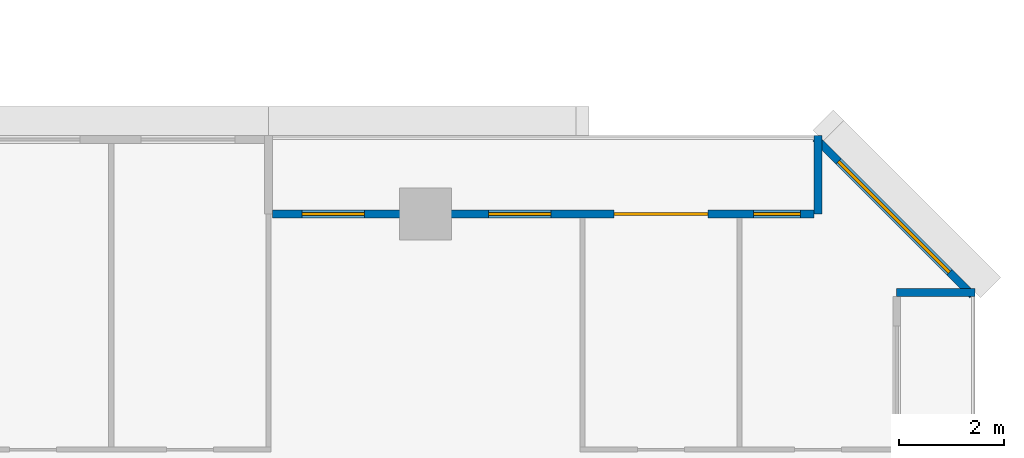
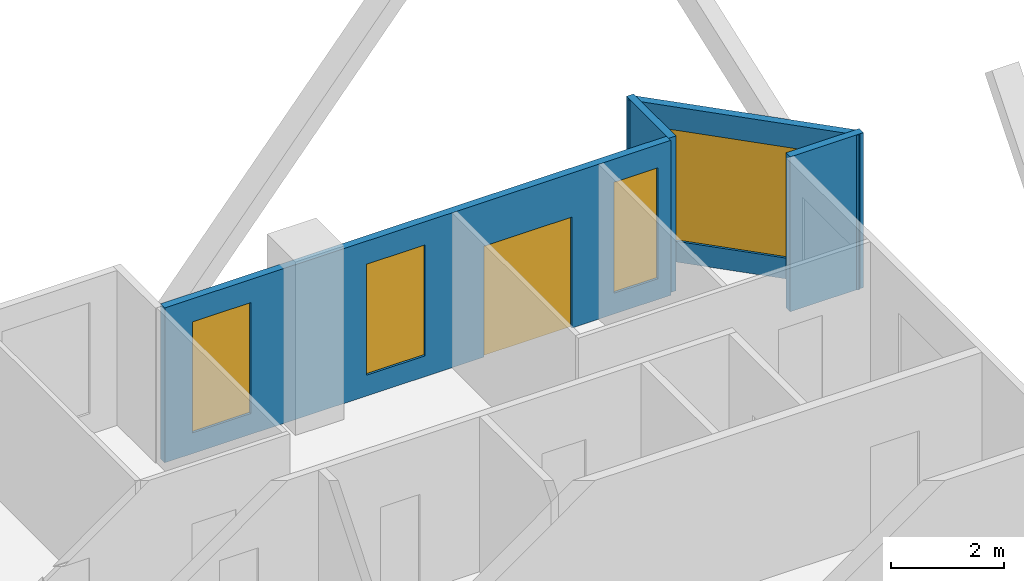
# One storey, part 13 of 16: 4 walls, 4 windows, 1 door, 5 openings.
"""IFC4 building model written with IfcOpenShell, lengths in metres."""

from ifc_helpers import new_model, si_unit, direction, frame, frame_2d, origin, place, context, subcontext, project, spatial, rectangle, extrude, material, layer, layer_set, type_object, element, fill, save


model = new_model("IFC4")

# Units and contexts
model_context = context("Model", 3, precision=1e-05, world=origin(), true_north=direction((0.0, 1.0)))
body_context = subcontext(model_context, "Body", "Model", "MODEL_VIEW")
ifc_project = project(units=[si_unit("LENGTHUNIT", "METRE"), si_unit("AREAUNIT", "SQUARE_METRE"), si_unit("VOLUMEUNIT", "CUBIC_METRE"), si_unit("PLANEANGLEUNIT", "RADIAN"), si_unit("MASSUNIT", "GRAM", prefix="KILO")], contexts=[model_context])

# Site, building, storey
site_placement = place(None, origin())
site = spatial("IfcSite", under=ifc_project, at=site_placement, CompositionType="ELEMENT")
building_placement = place(site_placement, origin())
building = spatial("IfcBuilding", under=site, at=building_placement, Name="Chenar Terraces", CompositionType="ELEMENT")
storey_placement = place(building_placement, frame((0.0, 0.0, 99.39990234375)))
storey = spatial("IfcBuildingStorey", under=building, at=storey_placement, Name="L22", CompositionType="ELEMENT", Elevation=99.39990234375)

# Wall, openings, windows, door
ifc_material_1 = material(Name="Aluminium framed glazing", Category="aluminium")
ifc_layer_1 = layer(ifc_material_1, 0.14990234375)
ifc_layer_set_1 = layer_set([ifc_layer_1], Name="Aluminium framed glazing")
wall_type_1 = type_object("IfcWallType", Name="Glazed loggia back wall 150", PredefinedType="SOLIDWALL", material=ifc_layer_set_1)
wall_1_placement = place(storey_placement, frame((70.425048828125, 24.0, 0.0), z_axis=(0.0, 0.0, 1.0), x_axis=(-1.0, 0.0, 0.0)))
wall_1 = element("IfcWall", 1, at=wall_1_placement, inside=storey, type_object=wall_type_1, Name="Glazed loggia back wall", PredefinedType="SOLIDWALL", context=body_context, shape_type="SweptSolid", body=[
    extrude(rectangle(XDim=10.35009765625, YDim=0.14990234375, at=frame_2d((5.175048828125, 0.0))), origin(), (0.0, 0.0, 1.0), 3.35009765625),
])
opening_1_placement = place(wall_1_placement, frame((0.262451171875, 0.0, 0.449951171875)))
opening_1 = element("IfcOpeningElement", 2, at=opening_1_placement, cuts=wall_1, Name="Opening W90x240", PredefinedType="OPENING", context=body_context, shape_type="SweptSolid", body=[
    extrude(rectangle(XDim=0.89990234375, YDim=2.39990234375, at=frame_2d((0.449951171875, 1.199951171875))), frame((0.0, 0.0849609375, 0.0), z_axis=(0.0, -1.0, 0.0), x_axis=(1.0, 0.0, 0.0)), (0.0, 0.0, 1.0), 0.169921875),
])
opening_2_placement = place(wall_1_placement, frame((2.02490234375, 0.0, 0.0)))
opening_2 = element("IfcOpeningElement", 3, at=opening_2_placement, cuts=wall_1, Name="Opening DL22-G1", PredefinedType="OPENING", context=body_context, shape_type="SweptSolid", body=[
    extrude(rectangle(XDim=1.800048828125, YDim=2.39990234375, at=frame_2d((0.89990234375, 1.199951171875))), frame((0.0, 0.0849609375, 0.0), z_axis=(0.0, -1.0, 0.0), x_axis=(1.0, 0.0, 0.0)), (0.0, 0.0, 1.0), 0.169921875),
])
opening_3_placement = place(wall_1_placement, frame((5.02490234375, 0.0, 0.449951171875)))
opening_3 = element("IfcOpeningElement", 4, at=opening_3_placement, cuts=wall_1, Name="Opening W120x240", PredefinedType="OPENING", context=body_context, shape_type="SweptSolid", body=[
    extrude(rectangle(XDim=1.199951171875, YDim=2.39990234375, at=frame_2d((0.60009765625, 1.199951171875))), frame((0.0, 0.0849609375, 0.0), z_axis=(0.0, -1.0, 0.0), x_axis=(1.0, 0.0, 0.0)), (0.0, 0.0, 1.0), 0.169921875),
])
opening_4_placement = place(wall_1_placement, frame((8.58740234375, 0.0, 0.449951171875)))
opening_4 = element("IfcOpeningElement", 5, at=opening_4_placement, cuts=wall_1, Name="Opening W120x240", PredefinedType="OPENING", context=body_context, shape_type="SweptSolid", body=[
    extrude(rectangle(XDim=1.199951171875, YDim=2.39990234375, at=frame_2d((0.60009765625, 1.199951171875))), frame((0.0, 0.0849609375, 0.0), z_axis=(0.0, -1.0, 0.0), x_axis=(1.0, 0.0, 0.0)), (0.0, 0.0, 1.0), 0.169921875),
])
ifc_material_2 = material(Name="Low emissivity double glazing, aluminium frame", Category="aluminium")
window_type_1 = type_object("IfcWindowType", Name="Fixed light 1200 x 2400", PartitioningType="SINGLE_PANEL", PredefinedType="WINDOW", material=ifc_material_2)
window_1_placement = place(opening_3_placement, origin())
window_1 = element("IfcWindow", 6, at=window_1_placement, inside=storey, type_object=window_type_1, Name="Window", OverallHeight=2.39990234375, OverallWidth=1.199951171875, PartitioningType="SINGLE_PANEL", PredefinedType="WINDOW", context=body_context, shape_type="SweptSolid", body=[
    extrude(rectangle(XDim=1.199951171875, YDim=2.39990234375, at=frame_2d((0.60009765625, 1.199951171875))), frame((0.0, 0.030029296875, 0.0), z_axis=(0.0, -1.0, 0.0), x_axis=(1.0, 0.0, 0.0)), (0.0, 0.0, 1.0), 0.06005859375),
])
fill(opening_3, window_1)
window_2_placement = place(opening_4_placement, origin())
window_2 = element("IfcWindow", 7, at=window_2_placement, inside=storey, type_object=window_type_1, Name="Window", OverallHeight=2.39990234375, OverallWidth=1.199951171875, PartitioningType="SINGLE_PANEL", PredefinedType="WINDOW", context=body_context, shape_type="SweptSolid", body=[
    extrude(rectangle(XDim=1.199951171875, YDim=2.39990234375, at=frame_2d((0.60009765625, 1.199951171875))), frame((0.0, 0.030029296875, 0.0), z_axis=(0.0, -1.0, 0.0), x_axis=(1.0, 0.0, 0.0)), (0.0, 0.0, 1.0), 0.06005859375),
])
fill(opening_4, window_2)
ifc_material_3 = material(Name="Low emissivity double glazing, aluminium frame", Category="aluminium")
window_type_2 = type_object("IfcWindowType", Name="Fixed light 900 x 2400", PartitioningType="SINGLE_PANEL", PredefinedType="WINDOW", material=ifc_material_3)
window_3_placement = place(opening_1_placement, origin())
window_3 = element("IfcWindow", 8, at=window_3_placement, inside=storey, type_object=window_type_2, Name="Window", OverallHeight=2.39990234375, OverallWidth=0.89990234375, PartitioningType="SINGLE_PANEL", PredefinedType="WINDOW", context=body_context, shape_type="SweptSolid", body=[
    extrude(rectangle(XDim=0.89990234375, YDim=2.39990234375, at=frame_2d((0.449951171875, 1.199951171875))), frame((0.0, 0.030029296875, 0.0), z_axis=(0.0, -1.0, 0.0), x_axis=(1.0, 0.0, 0.0)), (0.0, 0.0, 1.0), 0.06005859375),
])
fill(opening_1, window_3)
ifc_material_4 = material(Name="Low emissivity double glazing, aluminium frame", Category="aluminium")
door_type = type_object("IfcDoorType", Name="Loggia glazed double door 1800 x 2400", OperationType="DOUBLE_DOOR_SINGLE_SWING", PredefinedType="DOOR", material=ifc_material_4)
door_placement = place(opening_2_placement, frame((1.800048828125, 0.0, 0.0), z_axis=(0.0, 0.0, 1.0), x_axis=(-1.0, 0.0, 0.0)))
door = element("IfcDoor", 9, at=door_placement, inside=storey, type_object=door_type, Name="Loggia glazed door", OperationType="DOUBLE_DOOR_SINGLE_SWING", OverallHeight=2.39990234375, OverallWidth=1.800048828125, PredefinedType="DOOR", context=body_context, shape_type="SweptSolid", body=[
    extrude(rectangle(XDim=1.800048828125, YDim=2.39990234375, at=frame_2d((0.89990234375, 1.199951171875))), frame((0.0, 0.02490234375, 0.0), z_axis=(0.0, -1.0, 0.0), x_axis=(1.0, 0.0, 0.0)), (0.0, 0.0, 1.0), 0.050048828125),
])
fill(opening_2, door)

# Walls
ifc_material_5 = material(Name="Terracotta cladding on insulated backing", Category="masonry")
ifc_layer_2 = layer(ifc_material_5, 0.14990234375)
ifc_layer_set_2 = layer_set([ifc_layer_2], Name="Terracotta cladding on insulated backing")
wall_type_2 = type_object("IfcWallType", Name="Loggia return wall 150", PredefinedType="SOLIDWALL", material=ifc_layer_set_2)
for number, where, z_axis, x_axis, name in (
    (10, (70.5, 25.5, 0.0), (0.0, 0.0, 1.0), (0.0, -1.0, 0.0), "Loggia return wall"),
    (11, (73.5, 22.5, 0.0), (0.0, 0.0, 1.0), (-1.0, 0.0, 0.0), "Loggia return wall"),
):
    element("IfcWall", number, at=place(storey_placement, frame(where, z_axis=z_axis, x_axis=x_axis)), inside=storey, type_object=wall_type_2, Name=name, PredefinedType="SOLIDWALL", context=body_context, shape_type="SweptSolid", body=[
        extrude(rectangle(XDim=1.5, YDim=0.14990234375, at=frame_2d((0.75, 0.0))), origin(), (0.0, 0.0, 1.0), 3.35009765625),
    ])

# Wall, opening, window
ifc_material_6 = material(Name="Terracotta cladding on insulated backing", Category="masonry")
ifc_layer_3 = layer(ifc_material_6, 0.14990234375)
ifc_layer_set_3 = layer_set([ifc_layer_3], Name="Terracotta cladding on insulated backing")
wall_type_3 = type_object("IfcWallType", Name="Terracotta rainscreen wall 150", PredefinedType="SOLIDWALL", material=ifc_layer_set_3)
wall_2_placement = place(storey_placement, frame((73.447021484375, 22.447021484375, 0.0), z_axis=(0.0, 0.0, 1.0), x_axis=(-0.707106781187, 0.707106781187, 0.0)))
wall_2 = element("IfcWall", 12, at=wall_2_placement, inside=storey, type_object=wall_type_3, Name="Terracotta rainscreen wall", PredefinedType="SOLIDWALL", context=body_context, shape_type="SweptSolid", body=[
    extrude(rectangle(XDim=4.24267578125, YDim=0.14990234375, at=frame_2d((2.121337890625, 0.0))), origin(), (0.0, 0.0, 1.0), 3.35009765625),
])
opening_5_placement = place(wall_2_placement, frame((0.621337890625, 0.0, 0.449951171875)))
opening_5 = element("IfcOpeningElement", 13, at=opening_5_placement, cuts=wall_2, Name="Opening W300x240", PredefinedType="OPENING", context=body_context, shape_type="SweptSolid", body=[
    extrude(rectangle(XDim=3.0, YDim=2.39990234375, at=frame_2d((1.5, 1.199951171875))), frame((0.0, 0.0849609375, 0.0), z_axis=(0.0, -1.0, 0.0), x_axis=(1.0, 0.0, 0.0)), (0.0, 0.0, 1.0), 0.169921875),
])
ifc_material_7 = material(Name="Low emissivity double glazing, aluminium frame", Category="aluminium")
window_type_3 = type_object("IfcWindowType", Name="Fixed light 3000 x 2400", PartitioningType="SINGLE_PANEL", PredefinedType="WINDOW", material=ifc_material_7)
window_4_placement = place(opening_5_placement, origin())
window_4 = element("IfcWindow", 14, at=window_4_placement, inside=storey, type_object=window_type_3, Name="Window", OverallHeight=2.39990234375, OverallWidth=3.0, PartitioningType="SINGLE_PANEL", PredefinedType="WINDOW", context=body_context, shape_type="SweptSolid", body=[
    extrude(rectangle(XDim=3.0, YDim=2.39990234375, at=frame_2d((1.5, 1.199951171875))), frame((0.0, 0.030029296875, 0.0), z_axis=(0.0, -1.0, 0.0), x_axis=(1.0, 0.0, 0.0)), (0.0, 0.0, 1.0), 0.06005859375),
])
fill(opening_5, window_4)

save(model, "model.ifc")
